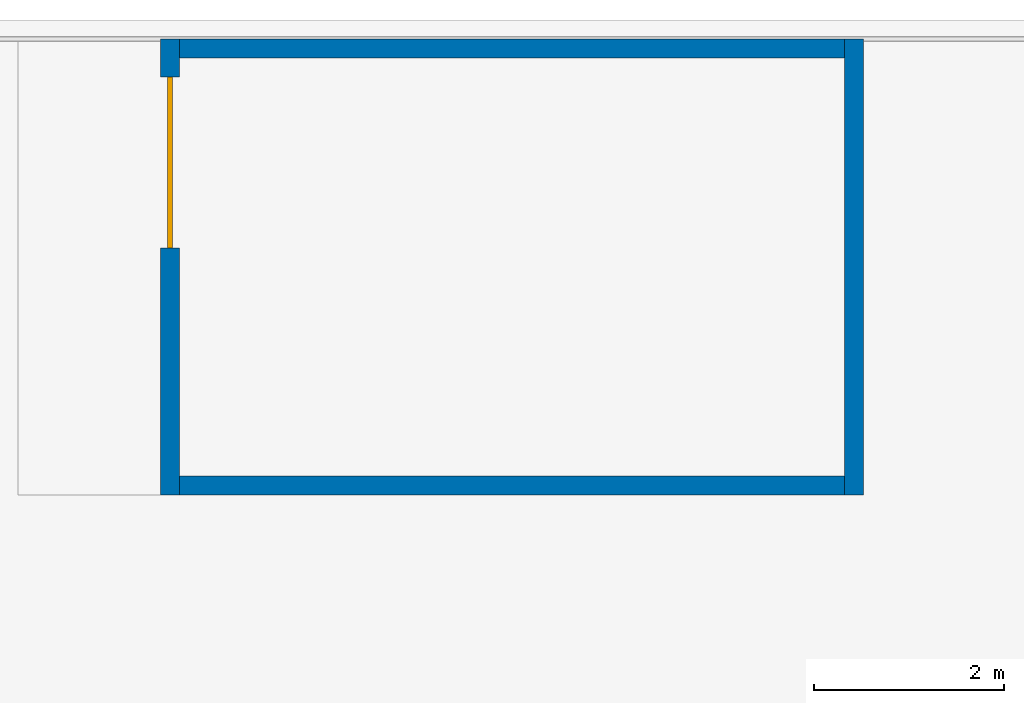
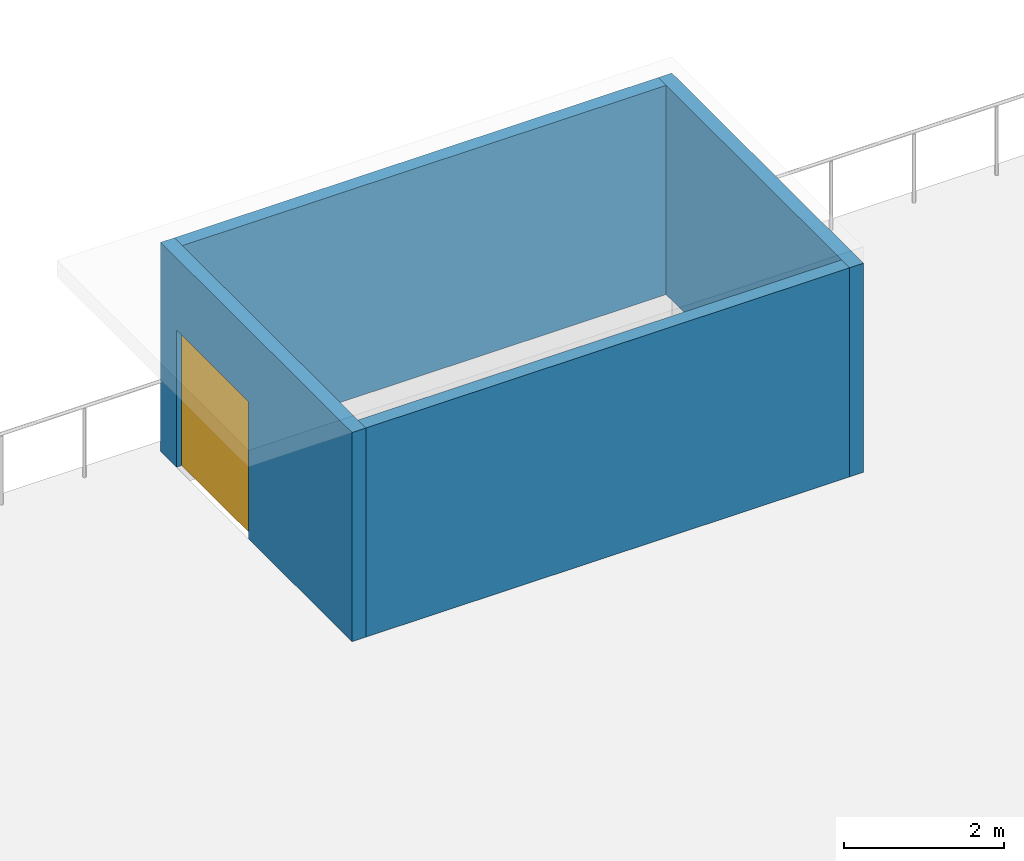
# One storey, part 128 of 210: 4 walls, 1 door, 1 opening.
"""IFC4 building model written with IfcOpenShell, lengths in metres."""

from ifc_helpers import new_model, si_unit, direction, frame, frame_2d, origin, place, context, subcontext, project, spatial, rectangle, extrude, material, layer, layer_set, type_object, element, fill, save


model = new_model("IFC4")

# Units and contexts
model_context = context("Model", 3, precision=1e-05, world=origin(), true_north=direction((0.0, 1.0)))
body_context = subcontext(model_context, "Body", "Model", "MODEL_VIEW")
ifc_project = project(units=[si_unit("LENGTHUNIT", "METRE"), si_unit("AREAUNIT", "SQUARE_METRE"), si_unit("VOLUMEUNIT", "CUBIC_METRE"), si_unit("PLANEANGLEUNIT", "RADIAN"), si_unit("MASSUNIT", "GRAM", prefix="KILO")], contexts=[model_context])

# Site, building, storey
site_placement = place(None, origin())
site = spatial("IfcSite", under=ifc_project, at=site_placement, CompositionType="ELEMENT")
building_placement = place(site_placement, origin())
building = spatial("IfcBuilding", under=site, at=building_placement, Name="Rain Tree Exposition and Congress Centre", CompositionType="ELEMENT")
storey_placement = place(building_placement, origin())
storey = spatial("IfcBuildingStorey", under=building, at=storey_placement, Name="L00", CompositionType="ELEMENT", Elevation=0.0)

# Wall, opening, door
ifc_material_1 = material(Name="Concrete C40/50", Category="concrete")
ifc_layer = layer(ifc_material_1, 0.199951171875)
ifc_layer_set = layer_set([ifc_layer], Name="Concrete C40/50")
wall_type = type_object("IfcWallType", Name="Exit stair wall 200", PredefinedType="PARTITIONING", material=ifc_layer_set)
wall_1_placement = place(storey_placement, frame((235.800048828125, 280.60009765625, 0.0), z_axis=(0.0, 0.0, 1.0), x_axis=(0.0, 1.0, 0.0)))
wall_1 = element("IfcWall", 1, at=wall_1_placement, inside=storey, type_object=wall_type, Name="Exit stair N12 wall west", PredefinedType="SOLIDWALL", context=body_context, shape_type="SweptSolid", body=[
    extrude(rectangle(XDim=4.7998046875, YDim=0.199951171875, at=frame_2d((2.39990234375, 0.0))), origin(), (0.0, 0.0, 1.0), 3.199951171875),
])
opening_placement = place(wall_1_placement, frame((2.60009765625, 0.0, 0.0)))
opening = element("IfcOpeningElement", 2, at=opening_placement, cuts=wall_1, Name="Opening DS162", PredefinedType="OPENING", context=body_context, shape_type="SweptSolid", body=[
    extrude(rectangle(XDim=1.800048828125, YDim=2.10009765625, at=frame_2d((0.89990234375, 1.050048828125))), frame((0.0, 0.10009765625, 0.0), z_axis=(0.0, -1.0, 0.0), x_axis=(1.0, 0.0, 0.0)), (0.0, 0.0, 1.0), 0.199951171875),
])
ifc_material_2 = material(Name="Powder-coated steel", Category="steel")
door_type = type_object("IfcDoorType", Name="Exit stair deck door 1800x2100", OperationType="NOTDEFINED", PredefinedType="DOOR", material=ifc_material_2)
door_placement = place(opening_placement, origin())
door = element("IfcDoor", 3, at=door_placement, inside=storey, type_object=door_type, Name="Exit stair N12 door L00", OperationType="SINGLE_SWING_LEFT", OverallHeight=2.10009765625, OverallWidth=1.800048828125, PredefinedType="DOOR", context=body_context, shape_type="SweptSolid", body=[
    extrude(rectangle(XDim=1.800048828125, YDim=2.10009765625, at=frame_2d((0.89990234375, 1.050048828125))), frame((0.0, 0.02490234375, 0.0), z_axis=(0.0, -1.0, 0.0), x_axis=(1.0, 0.0, 0.0)), (0.0, 0.0, 1.0), 0.050048828125),
])
fill(opening, door)

# Walls
wall_2_placement = place(storey_placement, frame((243.0, 280.60009765625, 0.0), z_axis=(0.0, 0.0, 1.0), x_axis=(0.0, 1.0, 0.0)))
element("IfcWall", 4, at=wall_2_placement, inside=storey, type_object=wall_type, Name="Exit stair N12 wall east", PredefinedType="SOLIDWALL", context=body_context, shape_type="SweptSolid", body=[
    extrude(rectangle(XDim=4.7998046875, YDim=0.199951171875, at=frame_2d((2.39990234375, 0.0))), origin(), (0.0, 0.0, 1.0), 3.199951171875),
])
for number, where, z_axis, x_axis, name in (
    (5, (235.89990234375, 280.699951171875, 0.0), (0.0, 0.0, 1.0), (1.0, 0.0, 0.0), "Exit stair N12 wall south"),
    (6, (235.89990234375, 285.300048828125, 0.0), (0.0, 0.0, 1.0), (1.0, 0.0, 0.0), "Exit stair N12 wall north"),
):
    element("IfcWall", number, at=place(storey_placement, frame(where, z_axis=z_axis, x_axis=x_axis)), inside=storey, type_object=wall_type, Name=name, PredefinedType="SOLIDWALL", context=body_context, shape_type="SweptSolid", body=[
        extrude(rectangle(XDim=7.0, YDim=0.199951171875, at=frame_2d((3.5, 0.0))), origin(), (0.0, 0.0, 1.0), 3.199951171875),
    ])

save(model, "model.ifc")
